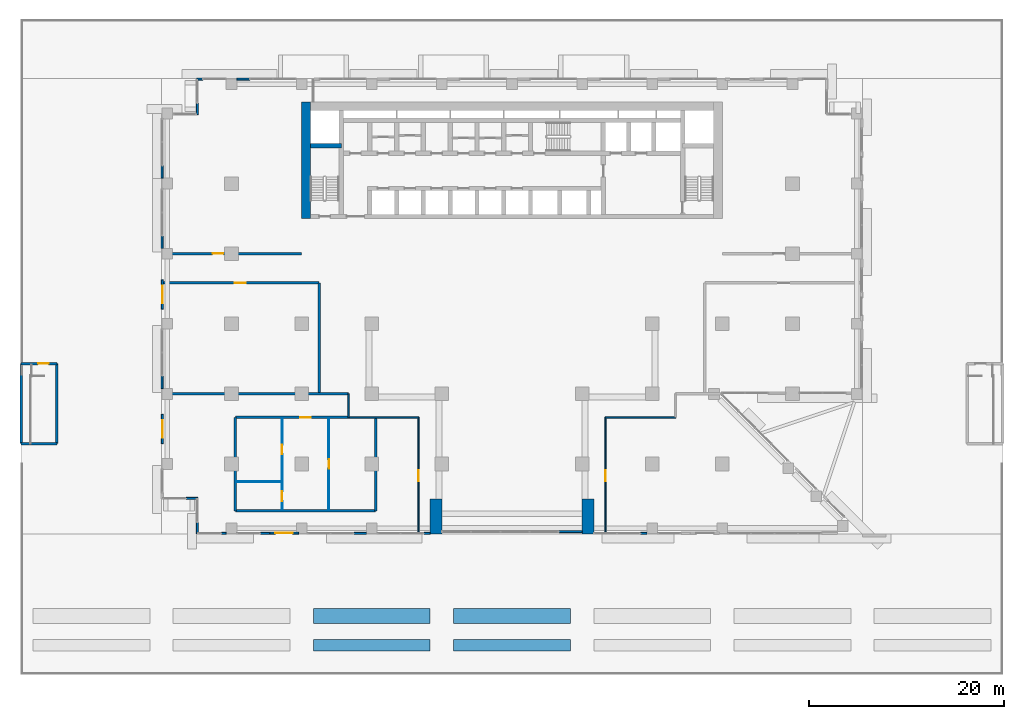
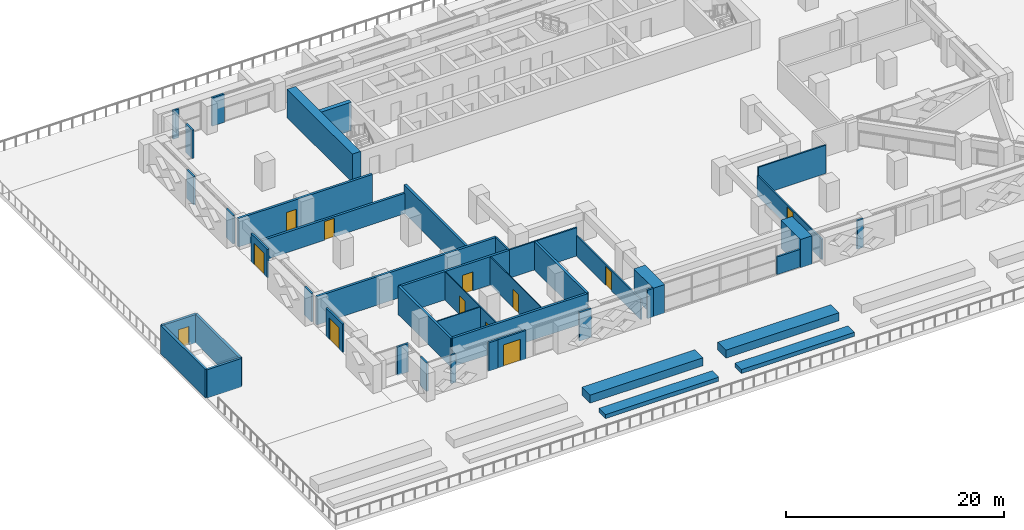
# One storey, part 13 of 24: 45 walls, 12 doors, 12 openings.
"""IFC4 building model written with IfcOpenShell, lengths in metres."""

from ifc_helpers import new_model, si_unit, direction, frame, frame_2d, origin, place, context, subcontext, project, spatial, rectangle, extrude, material, layer, layer_set, type_object, element, fill, save


model = new_model("IFC4")

# Units and contexts
model_context = context("Model", 3, precision=1e-05, world=origin(), true_north=direction((0.0, 1.0)))
body_context = subcontext(model_context, "Body", "Model", "MODEL_VIEW")
ifc_project = project(units=[si_unit("LENGTHUNIT", "METRE"), si_unit("AREAUNIT", "SQUARE_METRE"), si_unit("VOLUMEUNIT", "CUBIC_METRE"), si_unit("PLANEANGLEUNIT", "RADIAN"), si_unit("MASSUNIT", "GRAM", prefix="KILO")], contexts=[model_context])

# Site, building, storey
site_placement = place(None, origin())
site = spatial("IfcSite", under=ifc_project, at=site_placement, CompositionType="ELEMENT")
building_placement = place(site_placement, origin())
building = spatial("IfcBuilding", under=site, at=building_placement, Name="Saffron Iwan Residences", CompositionType="ELEMENT")
storey_placement = place(building_placement, frame((0.0, 0.0, 27.0)))
storey = spatial("IfcBuildingStorey", under=building, at=storey_placement, Name="L05", CompositionType="ELEMENT", Elevation=27.0)

# Walls
ifc_material_1 = material(Name="Concrete blockwork", Category="masonry")
ifc_layer_1 = layer(ifc_material_1, 0.14990234375)
ifc_layer_set_1 = layer_set([ifc_layer_1], Name="Concrete blockwork")
wall_type_1 = type_object("IfcWallType", Name="Blockwork partition 150", PredefinedType="PARTITIONING", material=ifc_layer_set_1)
for number, where, z_axis, x_axis, name in (
    (1, (33.60009765625, 45.60009765625, 0.0), (0.0, 0.0, 1.0), (1.0, 0.0, 0.0), "W-L05-005"),
    (2, (60.0, 45.60009765625, 0.0), (0.0, 0.0, 1.0), (1.0, 0.0, 0.0), "W-L05-006"),
):
    element("IfcWall", number, at=place(storey_placement, frame(where, z_axis=z_axis, x_axis=x_axis)), inside=storey, type_object=wall_type_1, Name=name, PredefinedType="PARTITIONING", context=body_context, shape_type="SweptSolid", body=[
        extrude(rectangle(XDim=7.199951171875, YDim=0.14990234375, at=frame_2d((3.60009765625, 0.0))), origin(), (0.0, 0.0, 1.0), 3.179931640625),
    ])
wall_1_placement = place(storey_placement, frame((33.60009765625, 45.60009765625, 0.0), z_axis=(0.0, 0.0, 1.0), x_axis=(0.0, 1.0, 0.0)))
element("IfcWall", 3, at=wall_1_placement, inside=storey, type_object=wall_type_1, Name="W-L05-023", PredefinedType="PARTITIONING", context=body_context, shape_type="SweptSolid", body=[
    extrude(rectangle(XDim=2.39990234375, YDim=0.14990234375, at=frame_2d((1.199951171875, 0.0))), origin(), (0.0, 0.0, 1.0), 3.179931640625),
])

# Wall, opening, door
wall_2_placement = place(storey_placement, frame((40.800048828125, 33.77001953125, 0.0), z_axis=(0.0, 0.0, 1.0), x_axis=(0.0, 1.0, 0.0)))
wall_2 = element("IfcWall", 4, at=wall_2_placement, inside=storey, type_object=wall_type_1, Name="W-L05-025", PredefinedType="PARTITIONING", context=body_context, shape_type="SweptSolid", body=[
    extrude(rectangle(XDim=11.830078125, YDim=0.14990234375, at=frame_2d((5.9150390625, 0.0))), origin(), (0.0, 0.0, 1.0), 2.280029296875),
])
opening_1_placement = place(wall_2_placement, frame((5.280029296875, 0.0, 0.0)))
opening_1 = element("IfcOpeningElement", 5, at=opening_1_placement, cuts=wall_2, Name="Opening L05.04", PredefinedType="OPENING", context=body_context, shape_type="SweptSolid", body=[
    extrude(rectangle(XDim=1.10009765625, YDim=2.10009765625, at=frame_2d((0.550048828125, 1.050048828125))), frame((0.0, 0.0849609375, 0.0), z_axis=(0.0, -1.0, 0.0), x_axis=(1.0, 0.0, 0.0)), (0.0, 0.0, 1.0), 0.169921875),
])
ifc_material_2 = material(Name="Timber", Category="wood")
door_type_1 = type_object("IfcDoorType", Name="Door 1100x2100", OperationType="NOTDEFINED", PredefinedType="DOOR", material=ifc_material_2)
door_1_placement = place(opening_1_placement, origin())
door_1 = element("IfcDoor", 6, at=door_1_placement, inside=storey, type_object=door_type_1, Name="D-L05-004", OperationType="SINGLE_SWING_LEFT", OverallHeight=2.10009765625, OverallWidth=1.10009765625, PredefinedType="DOOR", context=body_context, shape_type="SweptSolid", body=[
    extrude(rectangle(XDim=1.10009765625, YDim=2.10009765625, at=frame_2d((0.550048828125, 1.050048828125))), frame((0.0, 0.02490234375, 0.0), z_axis=(0.0, -1.0, 0.0), x_axis=(1.0, 0.0, 0.0)), (0.0, 0.0, 1.0), 0.050048828125),
])
fill(opening_1, door_1)

wall_3_placement = place(storey_placement, frame((60.0, 33.77001953125, 0.0), z_axis=(0.0, 0.0, 1.0), x_axis=(0.0, 1.0, 0.0)))
wall_3 = element("IfcWall", 7, at=wall_3_placement, inside=storey, type_object=wall_type_1, Name="W-L05-026", PredefinedType="PARTITIONING", context=body_context, shape_type="SweptSolid", body=[
    extrude(rectangle(XDim=11.830078125, YDim=0.14990234375, at=frame_2d((5.9150390625, 0.0))), origin(), (0.0, 0.0, 1.0), 2.280029296875),
])
opening_2_placement = place(wall_3_placement, frame((5.280029296875, 0.0, 0.0)))
opening_2 = element("IfcOpeningElement", 8, at=opening_2_placement, cuts=wall_3, Name="Opening L05.07", PredefinedType="OPENING", context=body_context, shape_type="SweptSolid", body=[
    extrude(rectangle(XDim=1.10009765625, YDim=2.10009765625, at=frame_2d((0.550048828125, 1.050048828125))), frame((0.0, 0.0849609375, 0.0), z_axis=(0.0, -1.0, 0.0), x_axis=(1.0, 0.0, 0.0)), (0.0, 0.0, 1.0), 0.169921875),
])
door_2_placement = place(opening_2_placement, origin())
door_2 = element("IfcDoor", 9, at=door_2_placement, inside=storey, type_object=door_type_1, Name="D-L05-007", OperationType="SINGLE_SWING_LEFT", OverallHeight=2.10009765625, OverallWidth=1.10009765625, PredefinedType="DOOR", context=body_context, shape_type="SweptSolid", body=[
    extrude(rectangle(XDim=1.10009765625, YDim=2.10009765625, at=frame_2d((0.550048828125, 1.050048828125))), frame((0.0, 0.02490234375, 0.0), z_axis=(0.0, -1.0, 0.0), x_axis=(1.0, 0.0, 0.0)), (0.0, 0.0, 1.0), 0.050048828125),
])
fill(opening_2, door_2)

# Walls
ifc_material_3 = material(Name="Concrete C40/50", Category="concrete")
ifc_layer_2 = layer(ifc_material_3, 0.199951171875)
ifc_layer_set_2 = layer_set([ifc_layer_2], Name="Concrete C40/50")
wall_type_2 = type_object("IfcWallType", Name="EXTERNAL WALL 200", PredefinedType="SOLIDWALL", material=ifc_layer_set_2)
wall_4_placement = place(storey_placement, frame((23.449951171875, 80.320068359375, 0.0), z_axis=(0.0, 0.0, 1.0), x_axis=(-1.0, 0.0, 0.0)))
element("IfcWall", 10, at=wall_4_placement, inside=storey, type_object=wall_type_2, Name="External wall infill CWD-L05-F5-8", PredefinedType="SOLIDWALL", context=body_context, shape_type="SweptSolid", body=[
    extrude(rectangle(XDim=1.300048828125, YDim=0.199951171875, at=frame_2d((0.64990234375, 0.0))), origin(), (0.0, 0.0, 1.0), 3.179931640625),
])
wall_5_placement = place(storey_placement, frame((18.64990234375, 80.320068359375, 0.0), z_axis=(0.0, 0.0, 1.0), x_axis=(-1.0, 0.0, 0.0)))
element("IfcWall", 11, at=wall_5_placement, inside=storey, type_object=wall_type_2, Name="External wall infill CWD-L05-F5-9", PredefinedType="SOLIDWALL", context=body_context, shape_type="SweptSolid", body=[
    extrude(rectangle(XDim=0.619873046875, YDim=0.199951171875, at=frame_2d((0.31005859375, 0.0))), origin(), (0.0, 0.0, 1.0), 3.179931640625),
])
wall_6_placement = place(storey_placement, frame((18.080078125, 77.8701171875, 0.0), z_axis=(0.0, 0.0, 1.0), x_axis=(0.0, -1.0, 0.0)))
element("IfcWall", 12, at=wall_6_placement, inside=storey, type_object=wall_type_2, Name="External wall infill CWD-L05-F6-0", PredefinedType="SOLIDWALL", context=body_context, shape_type="SweptSolid", body=[
    extrude(rectangle(XDim=1.2001953125, YDim=0.199951171875, at=frame_2d((0.60009765625, 0.0))), origin(), (0.0, 0.0, 1.0), 3.179931640625),
])

# Wall, opening, door
wall_7_placement = place(storey_placement, frame((14.5, 59.699951171875, 0.0), z_axis=(0.0, 0.0, 1.0), x_axis=(0.0, -1.0, 0.0)))
wall_7 = element("IfcWall", 13, at=wall_7_placement, inside=storey, type_object=wall_type_2, Name="External wall L05 F8.D0", PredefinedType="SOLIDWALL", context=body_context, shape_type="SweptSolid", body=[
    extrude(rectangle(XDim=3.0, YDim=0.199951171875, at=frame_2d((1.5, 0.0))), origin(), (0.0, 0.0, 1.0), 3.179931640625),
])
opening_3_placement = place(wall_7_placement, frame((0.60009765625, 0.0, 0.0)))
opening_3 = element("IfcOpeningElement", 14, at=opening_3_placement, cuts=wall_7, Name="Opening BD1", PredefinedType="OPENING", context=body_context, shape_type="SweptSolid", body=[
    extrude(rectangle(XDim=1.800048828125, YDim=2.39990234375, at=frame_2d((0.89990234375, 1.199951171875))), frame((0.0, 0.10986328125, 0.0), z_axis=(0.0, -1.0, 0.0), x_axis=(1.0, 0.0, 0.0)), (0.0, 0.0, 1.0), 0.219970703125),
])
ifc_material_4 = material(Name="Clear glass, laminated double glazed", Category="glass")
door_type_2 = type_object("IfcDoorType", Name="BALCONY DOOR 1800 x 2400", OperationType="DOUBLE_DOOR_SLIDING", PredefinedType="DOOR", material=ifc_material_4)
door_3_placement = place(opening_3_placement, origin())
door_3 = element("IfcDoor", 15, at=door_3_placement, inside=storey, type_object=door_type_2, Name="Terrace door L05 F8.0", OperationType="DOUBLE_DOOR_SLIDING", OverallHeight=2.39990234375, OverallWidth=1.800048828125, PredefinedType="DOOR", context=body_context, shape_type="SweptSolid", body=[
    extrude(rectangle(XDim=1.800048828125, YDim=2.39990234375, at=frame_2d((0.89990234375, 1.199951171875))), frame((0.0, 0.02490234375, 0.0), z_axis=(0.0, -1.0, 0.0), x_axis=(1.0, 0.0, 0.0)), (0.0, 0.0, 1.0), 0.050048828125),
])
fill(opening_3, door_3)

wall_8_placement = place(storey_placement, frame((14.5, 45.89990234375, 0.0), z_axis=(0.0, 0.0, 1.0), x_axis=(0.0, -1.0, 0.0)))
wall_8 = element("IfcWall", 16, at=wall_8_placement, inside=storey, type_object=wall_type_2, Name="External wall L05 F8.D1", PredefinedType="SOLIDWALL", context=body_context, shape_type="SweptSolid", body=[
    extrude(rectangle(XDim=3.0, YDim=0.199951171875, at=frame_2d((1.5, 0.0))), origin(), (0.0, 0.0, 1.0), 3.179931640625),
])
opening_4_placement = place(wall_8_placement, frame((0.60009765625, 0.0, 0.0)))
opening_4 = element("IfcOpeningElement", 17, at=opening_4_placement, cuts=wall_8, Name="Opening BD1", PredefinedType="OPENING", context=body_context, shape_type="SweptSolid", body=[
    extrude(rectangle(XDim=1.800048828125, YDim=2.39990234375, at=frame_2d((0.89990234375, 1.199951171875))), frame((0.0, 0.10986328125, 0.0), z_axis=(0.0, -1.0, 0.0), x_axis=(1.0, 0.0, 0.0)), (0.0, 0.0, 1.0), 0.219970703125),
])
door_4_placement = place(opening_4_placement, origin())
door_4 = element("IfcDoor", 18, at=door_4_placement, inside=storey, type_object=door_type_2, Name="Terrace door L05 F8.1", OperationType="DOUBLE_DOOR_SLIDING", OverallHeight=2.39990234375, OverallWidth=1.800048828125, PredefinedType="DOOR", context=body_context, shape_type="SweptSolid", body=[
    extrude(rectangle(XDim=1.800048828125, YDim=2.39990234375, at=frame_2d((0.89990234375, 1.199951171875))), frame((0.0, 0.02490234375, 0.0), z_axis=(0.0, -1.0, 0.0), x_axis=(1.0, 0.0, 0.0)), (0.0, 0.0, 1.0), 0.050048828125),
])
fill(opening_4, door_4)

# Walls
for number, where, z_axis, x_axis, name in (
    (19, (14.47998046875, 71.449951171875, 0.0), (0.0, 0.0, 1.0), (0.0, -1.0, 0.0), "External wall infill CWD-L05-F8-0"),
    (20, (14.47998046875, 64.25, 0.0), (0.0, 0.0, 1.0), (0.0, -1.0, 0.0), "External wall infill CWD-L05-F8-1"),
    (21, (14.47998046875, 49.85009765625, 0.0), (0.0, 0.0, 1.0), (0.0, -1.0, 0.0), "External wall infill CWD-L05-F8-3"),
):
    element("IfcWall", number, at=place(storey_placement, frame(where, z_axis=z_axis, x_axis=x_axis)), inside=storey, type_object=wall_type_2, Name=name, PredefinedType="SOLIDWALL", context=body_context, shape_type="SweptSolid", body=[
        extrude(rectangle(XDim=1.300048828125, YDim=0.199951171875, at=frame_2d((0.64990234375, 0.0))), origin(), (0.0, 0.0, 1.0), 3.179931640625),
    ])
wall_9_placement = place(storey_placement, frame((16.929931640625, 37.280029296875, 0.0), z_axis=(0.0, 0.0, 1.0), x_axis=(1.0, 0.0, 0.0)))
element("IfcWall", 22, at=wall_9_placement, inside=storey, type_object=wall_type_2, Name="External wall infill CWD-L05-F9-0", PredefinedType="SOLIDWALL", context=body_context, shape_type="SweptSolid", body=[
    extrude(rectangle(XDim=1.199951171875, YDim=0.199951171875, at=frame_2d((0.60009765625, 0.0))), origin(), (0.0, 0.0, 1.0), 3.179931640625),
])
wall_10_placement = place(storey_placement, frame((18.080078125, 34.830078125, 0.0), z_axis=(0.0, 0.0, 1.0), x_axis=(0.0, -1.0, 0.0)))
element("IfcWall", 23, at=wall_10_placement, inside=storey, type_object=wall_type_2, Name="External wall infill CWD-L05-F10-0", PredefinedType="SOLIDWALL", context=body_context, shape_type="SweptSolid", body=[
    extrude(rectangle(XDim=1.2001953125, YDim=0.199951171875, at=frame_2d((0.60009765625, 0.0))), origin(), (0.0, 0.0, 1.0), 3.179931640625),
])

# Wall, opening, door
wall_11_placement = place(storey_placement, frame((25.5, 33.699951171875, 0.0), z_axis=(0.0, 0.0, 1.0), x_axis=(1.0, 0.0, 0.0)))
wall_11 = element("IfcWall", 24, at=wall_11_placement, inside=storey, type_object=wall_type_2, Name="External wall L05 F11.D0", PredefinedType="SOLIDWALL", context=body_context, shape_type="SweptSolid", body=[
    extrude(rectangle(XDim=3.0, YDim=0.199951171875, at=frame_2d((1.5, 0.0))), origin(), (0.0, 0.0, 1.0), 3.179931640625),
])
opening_5_placement = place(wall_11_placement, frame((0.60009765625, 0.0, 0.0)))
opening_5 = element("IfcOpeningElement", 25, at=opening_5_placement, cuts=wall_11, Name="Opening BD1", PredefinedType="OPENING", context=body_context, shape_type="SweptSolid", body=[
    extrude(rectangle(XDim=1.800048828125, YDim=2.39990234375, at=frame_2d((0.89990234375, 1.199951171875))), frame((0.0, 0.10986328125, 0.0), z_axis=(0.0, -1.0, 0.0), x_axis=(1.0, 0.0, 0.0)), (0.0, 0.0, 1.0), 0.219970703125),
])
door_5_placement = place(opening_5_placement, origin())
door_5 = element("IfcDoor", 26, at=door_5_placement, inside=storey, type_object=door_type_2, Name="Terrace door L05 F11.0", OperationType="DOUBLE_DOOR_SLIDING", OverallHeight=2.39990234375, OverallWidth=1.800048828125, PredefinedType="DOOR", context=body_context, shape_type="SweptSolid", body=[
    extrude(rectangle(XDim=1.800048828125, YDim=2.39990234375, at=frame_2d((0.89990234375, 1.199951171875))), frame((0.0, 0.02490234375, 0.0), z_axis=(0.0, -1.0, 0.0), x_axis=(1.0, 0.0, 0.0)), (0.0, 0.0, 1.0), 0.050048828125),
])
fill(opening_5, door_5)

# Walls
wall_12_placement = place(storey_placement, frame((20.530029296875, 33.679931640625, 0.0), z_axis=(0.0, 0.0, 1.0), x_axis=(1.0, 0.0, 0.0)))
element("IfcWall", 27, at=wall_12_placement, inside=storey, type_object=wall_type_2, Name="External wall infill CWD-L05-F11-0", PredefinedType="SOLIDWALL", context=body_context, shape_type="SweptSolid", body=[
    extrude(rectangle(XDim=0.52001953125, YDim=0.199951171875, at=frame_2d((0.260009765625, 0.0))), origin(), (0.0, 0.0, 1.0), 3.179931640625),
])
wall_13_placement = place(storey_placement, frame((24.550048828125, 33.679931640625, 0.0), z_axis=(0.0, 0.0, 1.0), x_axis=(1.0, 0.0, 0.0)))
element("IfcWall", 28, at=wall_13_placement, inside=storey, type_object=wall_type_2, Name="External wall infill CWD-L05-F11-1", PredefinedType="SOLIDWALL", context=body_context, shape_type="SweptSolid", body=[
    extrude(rectangle(XDim=0.949951171875, YDim=0.199951171875, at=frame_2d((0.47509765625, 0.0))), origin(), (0.0, 0.0, 1.0), 3.179931640625),
])
wall_14_placement = place(storey_placement, frame((34.14990234375, 33.679931640625, 0.0), z_axis=(0.0, 0.0, 1.0), x_axis=(1.0, 0.0, 0.0)))
element("IfcWall", 29, at=wall_14_placement, inside=storey, type_object=wall_type_2, Name="External wall infill CWD-L05-F11-2", PredefinedType="SOLIDWALL", context=body_context, shape_type="SweptSolid", body=[
    extrude(rectangle(XDim=1.300048828125, YDim=0.199951171875, at=frame_2d((0.64990234375, 0.0))), origin(), (0.0, 0.0, 1.0), 3.179931640625),
])
for number, where, z_axis, x_axis, name in (
    (30, (41.35009765625, 33.679931640625, 0.0), (0.0, 0.0, 1.0), (1.0, 0.0, 0.0), "External wall infill CWD-L05-F11-3"),
    (31, (63.60009765625, 33.679931640625, 0.0), (0.0, 0.0, 1.0), (1.0, 0.0, 0.0), "External wall infill CWD-L05-F11-4"),
):
    element("IfcWall", number, at=place(storey_placement, frame(where, z_axis=z_axis, x_axis=x_axis)), inside=storey, type_object=wall_type_2, Name=name, PredefinedType="SOLIDWALL", context=body_context, shape_type="SweptSolid", body=[
        extrude(rectangle(XDim=0.64990234375, YDim=0.199951171875, at=frame_2d((0.324951171875, 0.0))), origin(), (0.0, 0.0, 1.0), 3.179931640625),
    ])
wall_15_placement = place(storey_placement, frame((55.199951171875, 33.85009765625, 0.0), z_axis=(0.0, 0.0, 1.0), x_axis=(1.0, 0.0, 0.0)))
element("IfcWall", 32, at=wall_15_placement, inside=storey, type_object=wall_type_2, Name="External wall infill CWB-L05-0", PredefinedType="SOLIDWALL", context=body_context, shape_type="SweptSolid", body=[
    extrude(rectangle(XDim=2.400146484375, YDim=0.199951171875, at=frame_2d((1.2001953125, 0.0))), origin(), (0.0, 0.0, 1.0), 1.97998046875),
])
ifc_layer_3 = layer(ifc_material_3, 0.25)
ifc_layer_set_3 = layer_set([ifc_layer_3], Name="Concrete C40/50")
wall_type_3 = type_object("IfcWallType", Name="Fire compartment wall 250", PredefinedType="SOLIDWALL", material=ifc_layer_set_3)
wall_16_placement = place(storey_placement, frame((22.0, 36.0, 0.0), z_axis=(0.0, 0.0, 1.0), x_axis=(1.0, 0.0, 0.0)))
element("IfcWall", 33, at=wall_16_placement, inside=storey, type_object=wall_type_3, Name="W-L05-001", PredefinedType="SOLIDWALL", context=body_context, shape_type="SweptSolid", body=[
    extrude(rectangle(XDim=14.39990234375, YDim=0.25, at=frame_2d((7.199951171875, 0.0))), origin(), (0.0, 0.0, 1.0), 3.179931640625),
])

# Wall, opening, door
wall_17_placement = place(storey_placement, frame((22.0, 45.60009765625, 0.0), z_axis=(0.0, 0.0, 1.0), x_axis=(1.0, 0.0, 0.0)))
wall_17 = element("IfcWall", 34, at=wall_17_placement, inside=storey, type_object=wall_type_3, Name="W-L05-007", PredefinedType="SOLIDWALL", context=body_context, shape_type="SweptSolid", body=[
    extrude(rectangle(XDim=11.60009765625, YDim=0.25, at=frame_2d((5.800048828125, 0.0))), origin(), (0.0, 0.0, 1.0), 3.179931640625),
])
opening_6_placement = place(wall_17_placement, frame((6.64990234375, 0.0, 0.0)))
opening_6 = element("IfcOpeningElement", 35, at=opening_6_placement, cuts=wall_17, Name="Opening L05.10", PredefinedType="OPENING", context=body_context, shape_type="SweptSolid", body=[
    extrude(rectangle(XDim=1.10009765625, YDim=2.10009765625, at=frame_2d((0.550048828125, 1.050048828125))), frame((0.0, 0.135009765625, 0.0), z_axis=(0.0, -1.0, 0.0), x_axis=(1.0, 0.0, 0.0)), (0.0, 0.0, 1.0), 0.27001953125),
])
door_6_placement = place(opening_6_placement, origin())
door_6 = element("IfcDoor", 36, at=door_6_placement, inside=storey, type_object=door_type_1, Name="D-L05-010", OperationType="SINGLE_SWING_RIGHT", OverallHeight=2.10009765625, OverallWidth=1.10009765625, PredefinedType="DOOR", context=body_context, shape_type="SweptSolid", body=[
    extrude(rectangle(XDim=1.10009765625, YDim=2.10009765625, at=frame_2d((0.550048828125, 1.050048828125))), frame((0.0, 0.02490234375, 0.0), z_axis=(0.0, -1.0, 0.0), x_axis=(1.0, 0.0, 0.0)), (0.0, 0.0, 1.0), 0.050048828125),
])
fill(opening_6, door_6)

# Wall
wall_18_placement = place(storey_placement, frame((14.570068359375, 48.0, 0.0), z_axis=(0.0, 0.0, 1.0), x_axis=(1.0, 0.0, 0.0)))
element("IfcWall", 37, at=wall_18_placement, inside=storey, type_object=wall_type_3, Name="W-L05-008", PredefinedType="SOLIDWALL", context=body_context, shape_type="SweptSolid", body=[
    extrude(rectangle(XDim=19.030029296875, YDim=0.25, at=frame_2d((9.51513671875, 0.0))), origin(), (0.0, 0.0, 1.0), 3.179931640625),
])

# Wall, opening, door
wall_19_placement = place(storey_placement, frame((14.570068359375, 59.39990234375, 0.0), z_axis=(0.0, 0.0, 1.0), x_axis=(1.0, 0.0, 0.0)))
wall_19 = element("IfcWall", 38, at=wall_19_placement, inside=storey, type_object=wall_type_3, Name="W-L05-012", PredefinedType="SOLIDWALL", context=body_context, shape_type="SweptSolid", body=[
    extrude(rectangle(XDim=16.030029296875, YDim=0.25, at=frame_2d((8.01513671875, 0.0))), origin(), (0.0, 0.0, 1.0), 2.280029296875),
])
opening_7_placement = place(wall_19_placement, frame((7.3798828125, 0.0, 0.0)))
opening_7 = element("IfcOpeningElement", 39, at=opening_7_placement, cuts=wall_19, Name="Opening L05.05", PredefinedType="OPENING", context=body_context, shape_type="SweptSolid", body=[
    extrude(rectangle(XDim=1.10009765625, YDim=2.10009765625, at=frame_2d((0.550048828125, 1.050048828125))), frame((0.0, 0.135009765625, 0.0), z_axis=(0.0, -1.0, 0.0), x_axis=(1.0, 0.0, 0.0)), (0.0, 0.0, 1.0), 0.27001953125),
])
door_7_placement = place(opening_7_placement, origin())
door_7 = element("IfcDoor", 40, at=door_7_placement, inside=storey, type_object=door_type_1, Name="D-L05-005", OperationType="SINGLE_SWING_LEFT", OverallHeight=2.10009765625, OverallWidth=1.10009765625, PredefinedType="DOOR", context=body_context, shape_type="SweptSolid", body=[
    extrude(rectangle(XDim=1.10009765625, YDim=2.10009765625, at=frame_2d((0.550048828125, 1.050048828125))), frame((0.0, 0.02490234375, 0.0), z_axis=(0.0, -1.0, 0.0), x_axis=(1.0, 0.0, 0.0)), (0.0, 0.0, 1.0), 0.050048828125),
])
fill(opening_7, door_7)

wall_20_placement = place(storey_placement, frame((14.570068359375, 62.39990234375, 0.0), z_axis=(0.0, 0.0, 1.0), x_axis=(1.0, 0.0, 0.0)))
wall_20 = element("IfcWall", 41, at=wall_20_placement, inside=storey, type_object=wall_type_3, Name="W-L05-014", PredefinedType="SOLIDWALL", context=body_context, shape_type="SweptSolid", body=[
    extrude(rectangle(XDim=14.22998046875, YDim=0.25, at=frame_2d((7.114990234375, 0.0))), origin(), (0.0, 0.0, 1.0), 3.179931640625),
])
opening_8_placement = place(wall_20_placement, frame((5.080078125, 0.0, 0.0)))
opening_8 = element("IfcOpeningElement", 42, at=opening_8_placement, cuts=wall_20, Name="Opening L05.06", PredefinedType="OPENING", context=body_context, shape_type="SweptSolid", body=[
    extrude(rectangle(XDim=1.10009765625, YDim=2.10009765625, at=frame_2d((0.550048828125, 1.050048828125))), frame((0.0, 0.135009765625, 0.0), z_axis=(0.0, -1.0, 0.0), x_axis=(1.0, 0.0, 0.0)), (0.0, 0.0, 1.0), 0.27001953125),
])
door_8_placement = place(opening_8_placement, origin())
door_8 = element("IfcDoor", 43, at=door_8_placement, inside=storey, type_object=door_type_1, Name="D-L05-006", OperationType="SINGLE_SWING_LEFT", OverallHeight=2.10009765625, OverallWidth=1.10009765625, PredefinedType="DOOR", context=body_context, shape_type="SweptSolid", body=[
    extrude(rectangle(XDim=1.10009765625, YDim=2.10009765625, at=frame_2d((0.550048828125, 1.050048828125))), frame((0.0, 0.02490234375, 0.0), z_axis=(0.0, -1.0, 0.0), x_axis=(1.0, 0.0, 0.0)), (0.0, 0.0, 1.0), 0.050048828125),
])
fill(opening_8, door_8)

# Walls
wall_21_placement = place(storey_placement, frame((22.0, 36.0, 0.0), z_axis=(0.0, 0.0, 1.0), x_axis=(0.0, 1.0, 0.0)))
element("IfcWall", 44, at=wall_21_placement, inside=storey, type_object=wall_type_3, Name="W-L05-018", PredefinedType="SOLIDWALL", context=body_context, shape_type="SweptSolid", body=[
    extrude(rectangle(XDim=9.60009765625, YDim=0.25, at=frame_2d((4.800048828125, 0.0))), origin(), (0.0, 0.0, 1.0), 3.179931640625),
])
wall_22_placement = place(storey_placement, frame((30.60009765625, 48.125, 0.0), z_axis=(0.0, 0.0, 1.0), x_axis=(0.0, 1.0, 0.0)))
element("IfcWall", 45, at=wall_22_placement, inside=storey, type_object=wall_type_3, Name="W-L05-021", PredefinedType="SOLIDWALL", context=body_context, shape_type="SweptSolid", body=[
    extrude(rectangle(XDim=11.27490234375, YDim=0.25, at=frame_2d((5.637451171875, 0.0))), origin(), (0.0, 0.0, 1.0), 3.179931640625),
])
wall_23_placement = place(storey_placement, frame((36.39990234375, 36.0, 0.0), z_axis=(0.0, 0.0, 1.0), x_axis=(0.0, 1.0, 0.0)))
element("IfcWall", 46, at=wall_23_placement, inside=storey, type_object=wall_type_3, Name="W-L05-024", PredefinedType="SOLIDWALL", context=body_context, shape_type="SweptSolid", body=[
    extrude(rectangle(XDim=9.52490234375, YDim=0.25, at=frame_2d((4.762451171875, 0.0))), origin(), (0.0, 0.0, 1.0), 3.179931640625),
])
ifc_layer_4 = layer(ifc_material_3, 0.25)
ifc_layer_set_4 = layer_set([ifc_layer_4], Name="Concrete C40/50")
wall_type_4 = type_object("IfcWallType", Name="Head-house wall 250", PredefinedType="SOLIDWALL", material=ifc_layer_set_4)
wall_24_placement = place(storey_placement, frame((0.0, 42.89990234375, 0.0), z_axis=(0.0, 0.0, 1.0), x_axis=(1.0, 0.0, 0.0)))
element("IfcWall", 47, at=wall_24_placement, inside=storey, type_object=wall_type_4, Name="W-L05-003", PredefinedType="SOLIDWALL", context=body_context, shape_type="SweptSolid", body=[
    extrude(rectangle(XDim=3.64990234375, YDim=0.25, at=frame_2d((1.824951171875, 0.0))), origin(), (0.0, 0.0, 1.0), 3.179931640625),
])

# Wall, opening, door
wall_25_placement = place(storey_placement, frame((0.0, 51.10009765625, 0.0), z_axis=(0.0, 0.0, 1.0), x_axis=(1.0, 0.0, 0.0)))
wall_25 = element("IfcWall", 48, at=wall_25_placement, inside=storey, type_object=wall_type_4, Name="W-L05-010", PredefinedType="SOLIDWALL", context=body_context, shape_type="SweptSolid", body=[
    extrude(rectangle(XDim=3.64990234375, YDim=0.25, at=frame_2d((1.824951171875, 0.0))), origin(), (0.0, 0.0, 1.0), 3.179931640625),
])
opening_9_placement = place(wall_25_placement, frame((1.72509765625, 0.0, 0.0)))
opening_9 = element("IfcOpeningElement", 49, at=opening_9_placement, cuts=wall_25, Name="Opening L05.11", PredefinedType="OPENING", context=body_context, shape_type="SweptSolid", body=[
    extrude(rectangle(XDim=1.10009765625, YDim=2.10009765625, at=frame_2d((0.550048828125, 1.050048828125))), frame((0.0, 0.135009765625, 0.0), z_axis=(0.0, -1.0, 0.0), x_axis=(1.0, 0.0, 0.0)), (0.0, 0.0, 1.0), 0.27001953125),
])
door_9_placement = place(opening_9_placement, origin())
door_9 = element("IfcDoor", 50, at=door_9_placement, inside=storey, type_object=door_type_1, Name="D-L05-011", OperationType="SINGLE_SWING_RIGHT", OverallHeight=2.10009765625, OverallWidth=1.10009765625, PredefinedType="DOOR", context=body_context, shape_type="SweptSolid", body=[
    extrude(rectangle(XDim=1.10009765625, YDim=2.10009765625, at=frame_2d((0.550048828125, 1.050048828125))), frame((0.0, 0.02490234375, 0.0), z_axis=(0.0, -1.0, 0.0), x_axis=(1.0, 0.0, 0.0)), (0.0, 0.0, 1.0), 0.050048828125),
])
fill(opening_9, door_9)

# Walls
for number, where, z_axis, x_axis, name in (
    (51, (0.0, 42.89990234375, 0.0), (0.0, 0.0, 1.0), (0.0, 1.0, 0.0), "W-L05-016"),
    (52, (3.64990234375, 42.89990234375, 0.0), (0.0, 0.0, 1.0), (0.0, 1.0, 0.0), "W-L05-017"),
):
    element("IfcWall", number, at=place(storey_placement, frame(where, z_axis=z_axis, x_axis=x_axis)), inside=storey, type_object=wall_type_4, Name=name, PredefinedType="SOLIDWALL", context=body_context, shape_type="SweptSolid", body=[
        extrude(rectangle(XDim=8.2001953125, YDim=0.25, at=frame_2d((4.10009765625, 0.0))), origin(), (0.0, 0.0, 1.0), 3.179931640625),
    ])
ifc_material_5 = material(Name="Plasterboard")
ifc_layer_5 = layer(ifc_material_5, 0.10009765625)
ifc_layer_set_5 = layer_set([ifc_layer_5], Name="Plasterboard")
wall_type_5 = type_object("IfcWallType", Name="Plasterboard partition 100", PredefinedType="PARTITIONING", material=ifc_layer_set_5)
wall_26_placement = place(storey_placement, frame((22.125, 39.0, 0.0), z_axis=(0.0, 0.0, 1.0), x_axis=(1.0, 0.0, 0.0)))
element("IfcWall", 53, at=wall_26_placement, inside=storey, type_object=wall_type_5, Name="W-L05-002", PredefinedType="PARTITIONING", context=body_context, shape_type="SweptSolid", body=[
    extrude(rectangle(XDim=4.625, YDim=0.10009765625, at=frame_2d((2.3125, 0.0))), origin(), (0.0, 0.0, 1.0), 3.179931640625),
])

# Wall, openings, doors
wall_27_placement = place(storey_placement, frame((26.800048828125, 36.125, 0.0), z_axis=(0.0, 0.0, 1.0), x_axis=(0.0, 1.0, 0.0)))
wall_27 = element("IfcWall", 54, at=wall_27_placement, inside=storey, type_object=wall_type_5, Name="W-L05-019", PredefinedType="PARTITIONING", context=body_context, shape_type="SweptSolid", body=[
    extrude(rectangle(XDim=9.35009765625, YDim=0.10009765625, at=frame_2d((4.675048828125, 0.0))), origin(), (0.0, 0.0, 1.0), 3.179931640625),
])
opening_10_placement = place(wall_27_placement, frame((5.675048828125, 0.0, 0.0)))
opening_10 = element("IfcOpeningElement", 55, at=opening_10_placement, cuts=wall_27, Name="Opening L05.01", PredefinedType="OPENING", context=body_context, shape_type="SweptSolid", body=[
    extrude(rectangle(XDim=1.0, YDim=2.10009765625, at=frame_2d((0.5, 1.050048828125))), frame((0.0, 0.06005859375, 0.0), z_axis=(0.0, -1.0, 0.0), x_axis=(1.0, 0.0, 0.0)), (0.0, 0.0, 1.0), 0.1201171875),
])
opening_11_placement = place(wall_27_placement, frame((0.875, 0.0, 0.0)))
opening_11 = element("IfcOpeningElement", 56, at=opening_11_placement, cuts=wall_27, Name="Opening L05.02", PredefinedType="OPENING", context=body_context, shape_type="SweptSolid", body=[
    extrude(rectangle(XDim=1.0, YDim=2.10009765625, at=frame_2d((0.5, 1.050048828125))), frame((0.0, 0.06005859375, 0.0), z_axis=(0.0, -1.0, 0.0), x_axis=(1.0, 0.0, 0.0)), (0.0, 0.0, 1.0), 0.1201171875),
])
door_type_3 = type_object("IfcDoorType", Name="Door 1000x2100", OperationType="NOTDEFINED", PredefinedType="DOOR", material=ifc_material_2)
door_10_placement = place(opening_10_placement, origin())
door_10 = element("IfcDoor", 57, at=door_10_placement, inside=storey, type_object=door_type_3, Name="D-L05-001", OperationType="SINGLE_SWING_RIGHT", OverallHeight=2.10009765625, OverallWidth=1.0, PredefinedType="DOOR", context=body_context, shape_type="SweptSolid", body=[
    extrude(rectangle(XDim=1.0, YDim=2.10009765625, at=frame_2d((0.5, 1.050048828125))), frame((0.0, 0.02490234375, 0.0), z_axis=(0.0, -1.0, 0.0), x_axis=(1.0, 0.0, 0.0)), (0.0, 0.0, 1.0), 0.050048828125),
])
fill(opening_10, door_10)
door_11_placement = place(opening_11_placement, origin())
door_11 = element("IfcDoor", 58, at=door_11_placement, inside=storey, type_object=door_type_3, Name="D-L05-002", OperationType="SINGLE_SWING_LEFT", OverallHeight=2.10009765625, OverallWidth=1.0, PredefinedType="DOOR", context=body_context, shape_type="SweptSolid", body=[
    extrude(rectangle(XDim=1.0, YDim=2.10009765625, at=frame_2d((0.5, 1.050048828125))), frame((0.0, 0.02490234375, 0.0), z_axis=(0.0, -1.0, 0.0), x_axis=(1.0, 0.0, 0.0)), (0.0, 0.0, 1.0), 0.050048828125),
])
fill(opening_11, door_11)

# Wall, opening, door
wall_28_placement = place(storey_placement, frame((31.60009765625, 36.125, 0.0), z_axis=(0.0, 0.0, 1.0), x_axis=(0.0, 1.0, 0.0)))
wall_28 = element("IfcWall", 59, at=wall_28_placement, inside=storey, type_object=wall_type_5, Name="W-L05-022", PredefinedType="PARTITIONING", context=body_context, shape_type="SweptSolid", body=[
    extrude(rectangle(XDim=9.35009765625, YDim=0.10009765625, at=frame_2d((4.675048828125, 0.0))), origin(), (0.0, 0.0, 1.0), 3.179931640625),
])
opening_12_placement = place(wall_28_placement, frame((4.175048828125, 0.0, 0.0)))
opening_12 = element("IfcOpeningElement", 60, at=opening_12_placement, cuts=wall_28, Name="Opening L05.03", PredefinedType="OPENING", context=body_context, shape_type="SweptSolid", body=[
    extrude(rectangle(XDim=1.0, YDim=2.10009765625, at=frame_2d((0.5, 1.050048828125))), frame((0.0, 0.06005859375, 0.0), z_axis=(0.0, -1.0, 0.0), x_axis=(1.0, 0.0, 0.0)), (0.0, 0.0, 1.0), 0.1201171875),
])
door_12_placement = place(opening_12_placement, origin())
door_12 = element("IfcDoor", 61, at=door_12_placement, inside=storey, type_object=door_type_3, Name="D-L05-003", OperationType="SINGLE_SWING_LEFT", OverallHeight=2.10009765625, OverallWidth=1.0, PredefinedType="DOOR", context=body_context, shape_type="SweptSolid", body=[
    extrude(rectangle(XDim=1.0, YDim=2.10009765625, at=frame_2d((0.5, 1.050048828125))), frame((0.0, 0.02490234375, 0.0), z_axis=(0.0, -1.0, 0.0), x_axis=(1.0, 0.0, 0.0)), (0.0, 0.0, 1.0), 0.050048828125),
])
fill(opening_12, door_12)

# Walls
ifc_layer_6 = layer(ifc_material_3, 1.199951171875)
ifc_layer_set_6 = layer_set([ifc_layer_6], Name="Concrete C40/50")
wall_type_6 = type_object("IfcWallType", Name="Terrace planter wall 1200", PredefinedType="SOLIDWALL", material=ifc_layer_set_6)
for number, where, z_axis, x_axis, name in (
    (62, (30.0, 22.199951171875, 0.050048828125), (0.0, 0.0, 1.0), (1.0, 0.0, 0.0), "PLANTER terrace L05 5"),
    (63, (44.39990234375, 22.199951171875, 0.050048828125), (0.0, 0.0, 1.0), (1.0, 0.0, 0.0), "PLANTER terrace L05 7"),
):
    element("IfcWall", number, at=place(storey_placement, frame(where, z_axis=z_axis, x_axis=x_axis)), inside=storey, type_object=wall_type_6, Name=name, PredefinedType="SOLIDWALL", context=body_context, shape_type="SweptSolid", body=[
        extrude(rectangle(XDim=12.0, YDim=1.199951171875, at=frame_2d((6.0, 0.0))), origin(), (0.0, 0.0, 1.0), 0.449951171875),
    ])
ifc_layer_7 = layer(ifc_material_3, 1.5)
ifc_layer_set_7 = layer_set([ifc_layer_7], Name="Concrete C40/50")
wall_type_7 = type_object("IfcWallType", Name="Terrace planter wall 1500", PredefinedType="SOLIDWALL", material=ifc_layer_set_7)
for number, where, z_axis, x_axis, name in (
    (64, (30.0, 25.199951171875, 0.050048828125), (0.0, 0.0, 1.0), (1.0, 0.0, 0.0), "PLANTER terrace L05 6"),
    (65, (44.39990234375, 25.199951171875, 0.050048828125), (0.0, 0.0, 1.0), (1.0, 0.0, 0.0), "PLANTER terrace L05 8"),
):
    element("IfcWall", number, at=place(storey_placement, frame(where, z_axis=z_axis, x_axis=x_axis)), inside=storey, type_object=wall_type_7, Name=name, PredefinedType="SOLIDWALL", context=body_context, shape_type="SweptSolid", body=[
        extrude(rectangle(XDim=12.0, YDim=1.5, at=frame_2d((6.0, 0.0))), origin(), (0.0, 0.0, 1.0), 0.89990234375),
    ])
ifc_material_6 = material(Name="Concrete C60/75", Category="concrete")
ifc_layer_8 = layer(ifc_material_6, 0.449951171875)
ifc_layer_set_8 = layer_set([ifc_layer_8], Name="Concrete C60/75")
wall_type_8 = type_object("IfcWallType", Name="WALL CORE 450 C60/75 3180 HIGH", PredefinedType="SHEAR", material=ifc_layer_set_8)
wall_29_placement = place(storey_placement, frame((29.699951171875, 73.47509765625, 0.0), z_axis=(0.0, 0.0, 1.0), x_axis=(1.0, 0.0, 0.0)))
element("IfcWall", 66, at=wall_29_placement, inside=storey, type_object=wall_type_8, Name="Core wall", PredefinedType="SHEAR", context=body_context, shape_type="SweptSolid", body=[
    extrude(rectangle(XDim=3.175048828125, YDim=0.449951171875, at=frame_2d((1.58740234375, 0.0))), origin(), (0.0, 0.0, 1.0), 3.179931640625),
])
ifc_layer_9 = layer(ifc_material_6, 0.89990234375)
ifc_layer_set_9 = layer_set([ifc_layer_9], Name="Concrete C60/75")
wall_type_9 = type_object("IfcWallType", Name="WALL CORE 900 C60/75 3180 HIGH", PredefinedType="SHEAR", material=ifc_layer_set_9)
wall_30_placement = place(storey_placement, frame((29.25, 66.0, 0.0), z_axis=(0.0, 0.0, 1.0), x_axis=(0.0, 1.0, 0.0)))
element("IfcWall", 67, at=wall_30_placement, inside=storey, type_object=wall_type_9, Name="Core wall", PredefinedType="SHEAR", context=body_context, shape_type="SweptSolid", body=[
    extrude(rectangle(XDim=12.0, YDim=0.89990234375, at=frame_2d((6.0, 0.0))), origin(), (0.0, 0.0, 1.0), 3.179931640625),
])
ifc_layer_10 = layer(ifc_material_6, 1.199951171875)
ifc_layer_set_10 = layer_set([ifc_layer_10], Name="Concrete C60/75")
wall_type_10 = type_object("IfcWallType", Name="WALL IWAN PIER 1200 C60/75 3180 HIGH", PredefinedType="SHEAR", material=ifc_layer_set_10)
for number, where, z_axis, x_axis, name in (
    (68, (42.60009765625, 33.60009765625, 0.0), (0.0, 0.0, 1.0), (0.0, 1.0, 0.0), "IWAN PIER"),
    (69, (58.199951171875, 33.60009765625, 0.0), (0.0, 0.0, 1.0), (0.0, 1.0, 0.0), "IWAN PIER"),
):
    element("IfcWall", number, at=place(storey_placement, frame(where, z_axis=z_axis, x_axis=x_axis)), inside=storey, type_object=wall_type_10, Name=name, PredefinedType="SHEAR", context=body_context, shape_type="SweptSolid", body=[
        extrude(rectangle(XDim=3.599853515625, YDim=1.199951171875, at=frame_2d((1.7998046875, 0.0))), origin(), (0.0, 0.0, 1.0), 3.179931640625),
    ])

save(model, "model.ifc")
